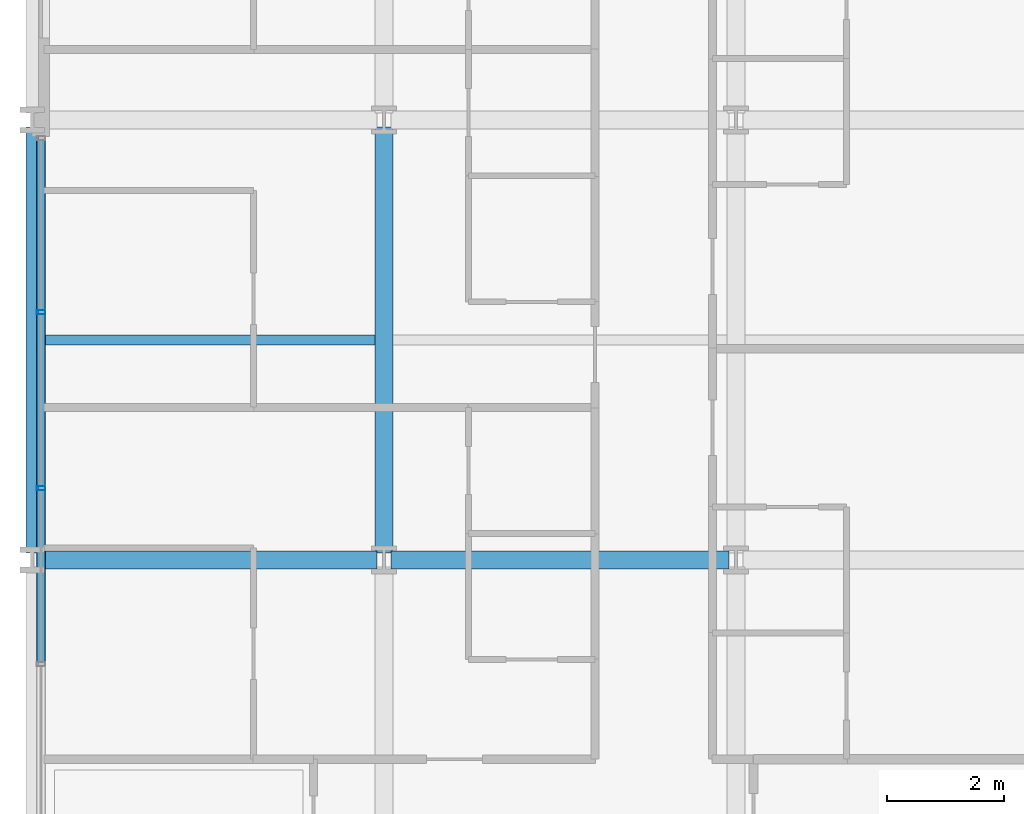
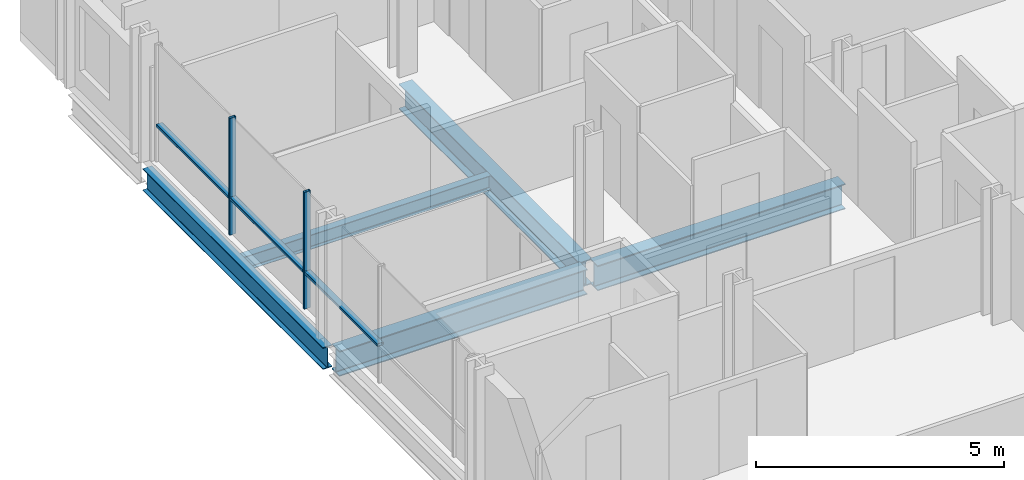
# One storey, part 5 of 40: 5 beams, 5 members, 1 element without a shape of its own.
"""IFC4 building model written with IfcOpenShell, lengths in metres."""

from ifc_helpers import new_model, si_unit, direction, frame, origin, origin_2d, place, context, subcontext, project, spatial, hollow_rectangle, i_section, extrude, material, layer, layer_set, material_profile, profile_set, type_object, element, aggregate, save


model = new_model("IFC4")

# Units and contexts
model_context = context("Model", 3, precision=1e-05, world=origin(), true_north=direction((0.0, 1.0)))
body_context = subcontext(model_context, "Body", "Model", "MODEL_VIEW")
ifc_project = project(units=[si_unit("LENGTHUNIT", "METRE"), si_unit("AREAUNIT", "SQUARE_METRE"), si_unit("VOLUMEUNIT", "CUBIC_METRE"), si_unit("PLANEANGLEUNIT", "RADIAN"), si_unit("MASSUNIT", "GRAM", prefix="KILO")], contexts=[model_context])

# Site, building, storey
site_placement = place(None, origin())
site = spatial("IfcSite", under=ifc_project, at=site_placement, CompositionType="ELEMENT")
building_placement = place(site_placement, origin())
building = spatial("IfcBuilding", under=site, at=building_placement, Name="Brevholm Reach", CompositionType="ELEMENT")
storey_placement = place(building_placement, frame((0.0, 0.0, 37.300048828125)))
storey = spatial("IfcBuildingStorey", under=building, at=storey_placement, Name="L09", CompositionType="ELEMENT", Elevation=37.300048828125)

# Beams
ifc_material_1 = material(Name="Structural Steel S355J2", Category="steel")
ifc_material_profile_1 = material_profile(ifc_material_1, i_section(OverallWidth=0.17138671875, OverallDepth=0.35498046875, WebThickness=0.00732421875, FlangeThickness=0.011474609375, FilletRadius=0.01025390625, at=origin_2d()), Name="UKB 356x171x51")
ifc_profile_set_1 = profile_set([ifc_material_profile_1], Name="Structural Steel S355J2")
beam_type_1 = type_object("IfcBeamType", Name="BM-B356", PredefinedType="BEAM", material=ifc_profile_set_1)
beam_1_placement = place(storey_placement, frame((0.10546875, 19.75, -0.407470703125), z_axis=(1.0, 0.0, 0.0), x_axis=(0.0, 1.0, 0.0)))
element("IfcBeam", 1, at=beam_1_placement, inside=storey, type_object=beam_type_1, Name="L09 Composite Secondary Floor Beam", PredefinedType="BEAM", context=body_context, shape_type="SweptSolid", body=[
    extrude(i_section(OverallWidth=0.17138671875, OverallDepth=0.35498046875, WebThickness=0.00732421875, FlangeThickness=0.011474609375, FilletRadius=0.01025390625, at=origin_2d()), origin(), (0.0, 0.0, 1.0), 5.740966796875),
])
ifc_material_2 = material(Name="Structural Steel S355J2", Category="steel")
ifc_material_profile_2 = material_profile(ifc_material_2, i_section(OverallWidth=0.210693359375, OverallDepth=0.53955078125, WebThickness=0.01171875, FlangeThickness=0.018798828125, FilletRadius=0.0126953125, at=origin_2d()), Name="UKB 533x210x109")
ifc_profile_set_2 = profile_set([ifc_material_profile_2], Name="Structural Steel S355J2")
beam_type_2 = type_object("IfcBeamType", Name="BM-SP539", PredefinedType="SPANDREL", material=ifc_profile_set_2)
beam_2_placement = place(storey_placement, frame((0.0, 16.1201171875, -0.499755859375), z_axis=(0.0, 1.0, 0.0), x_axis=(-1.0, 0.0, 0.0)))
element("IfcBeam", 2, at=beam_2_placement, inside=storey, type_object=beam_type_2, Name="L09 SP-01B Framing Beam", PredefinedType="SPANDREL", context=body_context, shape_type="SweptSolid", body=[
    extrude(i_section(OverallWidth=0.210693359375, OverallDepth=0.53955078125, WebThickness=0.01171875, FlangeThickness=0.018798828125, FilletRadius=0.0126953125, at=origin_2d()), origin(), (0.0, 0.0, 1.0), 7.259765625),
])
ifc_material_3 = material(Name="Structural Steel S355J2", Category="steel")
ifc_material_profile_3 = material_profile(ifc_material_3, i_section(OverallWidth=0.30712890625, OverallDepth=0.6201171875, WebThickness=0.01416015625, FlangeThickness=0.023681640625, FilletRadius=0.0166015625, at=origin_2d()), Name="UKB 610x305x179")
ifc_profile_set_3 = profile_set([ifc_material_profile_3], Name="Structural Steel S355J2")
beam_type_3 = type_object("IfcBeamType", Name="BM-UKB610H", PredefinedType="USERDEFINED", material=ifc_profile_set_3)
for number, where, z_axis, x_axis, name in (
    (3, (0.1201171875, 16.0, -0.5400390625), (1.0, 0.0, 0.0), (0.0, 1.0, 0.0), "L09 G-06 Framing Beam"),
    (4, (6.1201171875, 16.0, -0.5400390625), (1.0, 0.0, 0.0), (0.0, 1.0, 0.0), "L09 G-06 Framing Beam"),
):
    element("IfcBeam", number, at=place(storey_placement, frame(where, z_axis=z_axis, x_axis=x_axis)), inside=storey, type_object=beam_type_3, Name=name, ObjectType="GIRDER", PredefinedType="USERDEFINED", context=body_context, shape_type="SweptSolid", body=[
        extrude(i_section(OverallWidth=0.30712890625, OverallDepth=0.6201171875, WebThickness=0.01416015625, FlangeThickness=0.023681640625, FilletRadius=0.0166015625, at=origin_2d()), origin(), (0.0, 0.0, 1.0), 5.759765625),
    ])
beam_3_placement = place(storey_placement, frame((6.0, 16.1201171875, -0.5400390625), z_axis=(0.0, 1.0, 0.0), x_axis=(-1.0, 0.0, 0.0)))
element("IfcBeam", 5, at=beam_3_placement, inside=storey, type_object=beam_type_3, Name="L09 G-06 Framing Beam", ObjectType="GIRDER", PredefinedType="USERDEFINED", context=body_context, shape_type="SweptSolid", body=[
    extrude(i_section(OverallWidth=0.30712890625, OverallDepth=0.6201171875, WebThickness=0.01416015625, FlangeThickness=0.023681640625, FilletRadius=0.0166015625, at=origin_2d()), origin(), (0.0, 0.0, 1.0), 7.259765625),
])

# Curtain wall, members
ifc_material_4 = material(Name="Dark Anodised Aluminium 6063-T6 and Solar-Control Glass", Category="aluminium")
ifc_layer = layer(ifc_material_4, 0.14990234375)
ifc_layer_set = layer_set([ifc_layer], Name="Dark Anodised Aluminium 6063-T6 and Solar-Control Glass")
curtain_wall_type = type_object("IfcCurtainWallType", Name="CW-01", PredefinedType="NOTDEFINED", material=ifc_layer_set)
curtain_wall_placement = place(storey_placement, origin())
curtain_wall = element("IfcCurtainWall", 6, at=curtain_wall_placement, inside=storey, type_object=curtain_wall_type, Name="L09 Curtain Wall CW-01", PredefinedType="NOTDEFINED")
ifc_material_5 = material(Name="Dark Anodised Aluminium 6063-T6", Category="aluminium")
ifc_material_profile_4 = material_profile(ifc_material_5, hollow_rectangle(XDim=0.06494140625, YDim=0.14990234375, WallThickness=0.0048828125, InnerFilletRadius=0.0048828125, OuterFilletRadius=0.010009765625, at=origin_2d()), Name="RHS 150x65x5")
ifc_profile_set_4 = profile_set([ifc_material_profile_4], Name="Dark Anodised Aluminium 6063-T6")
member_type_1 = type_object("IfcMemberType", Name="CWM-150", PredefinedType="MULLION", material=ifc_profile_set_4)
member_1_placement = place(storey_placement, frame((0.14990234375, 20.219970703125, 0.0), z_axis=(0.0, 0.0, 1.0), x_axis=(0.0, -1.0, 0.0)))
member_1 = element("IfcMember", 7, at=member_1_placement, type_object=member_type_1, Name="CM-150 Mullion 2", PredefinedType="MULLION", context=body_context, shape_type="SweptSolid", body=[
    extrude(hollow_rectangle(XDim=0.06494140625, YDim=0.14990234375, WallThickness=0.0048828125, InnerFilletRadius=0.0048828125, OuterFilletRadius=0.010009765625, at=origin_2d()), origin(), (0.0, 0.0, 1.0), 2.869873046875),
])
member_2_placement = place(storey_placement, frame((0.14990234375, 17.219970703125, 0.0), z_axis=(0.0, 0.0, 1.0), x_axis=(0.0, -1.0, 0.0)))
member_2 = element("IfcMember", 8, at=member_2_placement, type_object=member_type_1, Name="CM-150 Mullion 3", PredefinedType="MULLION", context=body_context, shape_type="SweptSolid", body=[
    extrude(hollow_rectangle(XDim=0.06494140625, YDim=0.14990234375, WallThickness=0.0048828125, InnerFilletRadius=0.0048828125, OuterFilletRadius=0.010009765625, at=origin_2d()), origin(), (0.0, 0.0, 1.0), 2.869873046875),
])
ifc_material_6 = material(Name="Dark Anodised Aluminium 6063-T6", Category="aluminium")
ifc_material_profile_5 = material_profile(ifc_material_6, hollow_rectangle(XDim=0.06494140625, YDim=0.14990234375, WallThickness=0.0048828125, InnerFilletRadius=0.0048828125, OuterFilletRadius=0.010009765625, at=origin_2d()), Name="RHS 150x65x5")
ifc_profile_set_5 = profile_set([ifc_material_profile_5], Name="Dark Anodised Aluminium 6063-T6")
member_type_2 = type_object("IfcMemberType", Name="CWT-150", PredefinedType="NOTDEFINED", material=ifc_profile_set_5)
member_3_placement = place(storey_placement, frame((0.14990234375, 23.155029296875, 0.89990234375), z_axis=(0.0, -1.0, 0.0), x_axis=(0.0, 0.0, 1.0)))
member_3 = element("IfcMember", 9, at=member_3_placement, type_object=member_type_2, Name="CT-150 Transom 1.1", ObjectType="TRANSOM", PredefinedType="USERDEFINED", context=body_context, shape_type="SweptSolid", body=[
    extrude(hollow_rectangle(XDim=0.06494140625, YDim=0.14990234375, WallThickness=0.0048828125, InnerFilletRadius=0.0048828125, OuterFilletRadius=0.010009765625, at=origin_2d()), origin(), (0.0, 0.0, 1.0), 2.902587890625),
])
member_4_placement = place(storey_placement, frame((0.14990234375, 20.1875, 0.89990234375), z_axis=(0.0, -1.0, 0.0), x_axis=(0.0, 0.0, 1.0)))
member_4 = element("IfcMember", 10, at=member_4_placement, type_object=member_type_2, Name="CT-150 Transom 2.1", ObjectType="TRANSOM", PredefinedType="USERDEFINED", context=body_context, shape_type="SweptSolid", body=[
    extrude(hollow_rectangle(XDim=0.06494140625, YDim=0.14990234375, WallThickness=0.0048828125, InnerFilletRadius=0.0048828125, OuterFilletRadius=0.010009765625, at=origin_2d()), origin(), (0.0, 0.0, 1.0), 2.93505859375),
])
member_5_placement = place(storey_placement, frame((0.14990234375, 17.1875, 0.89990234375), z_axis=(0.0, -1.0, 0.0), x_axis=(0.0, 0.0, 1.0)))
member_5 = element("IfcMember", 11, at=member_5_placement, type_object=member_type_2, Name="CT-150 Transom 3.1", ObjectType="TRANSOM", PredefinedType="USERDEFINED", context=body_context, shape_type="SweptSolid", body=[
    extrude(hollow_rectangle(XDim=0.06494140625, YDim=0.14990234375, WallThickness=0.0048828125, InnerFilletRadius=0.0048828125, OuterFilletRadius=0.010009765625, at=origin_2d()), origin(), (0.0, 0.0, 1.0), 2.93505859375),
])
aggregate(curtain_wall, [member_1, member_2, member_3, member_4, member_5])

save(model, "model.ifc")
